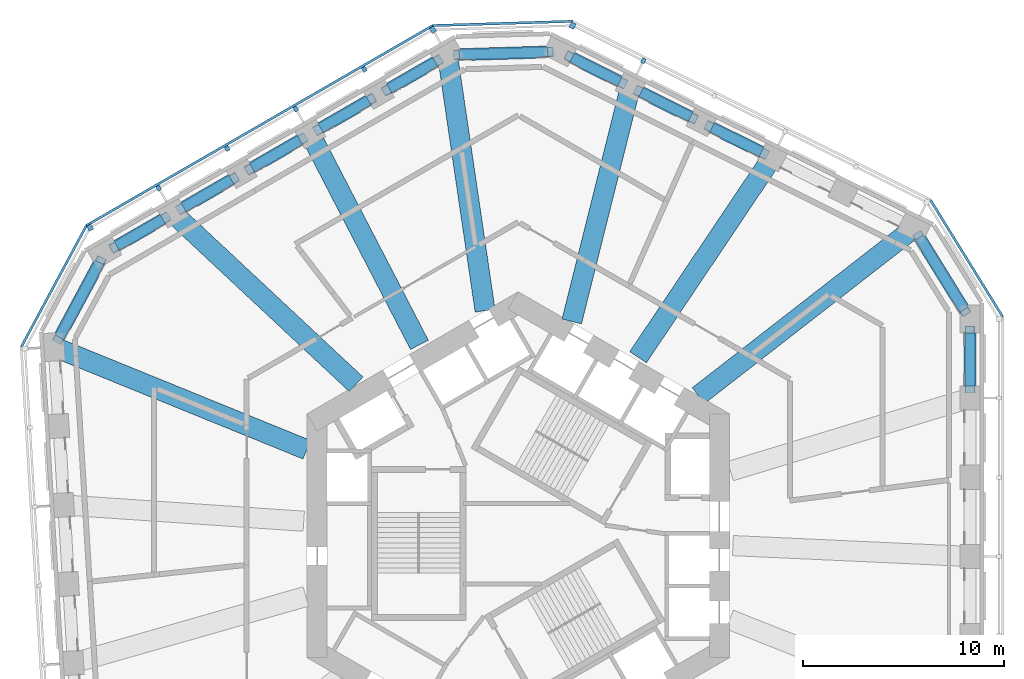
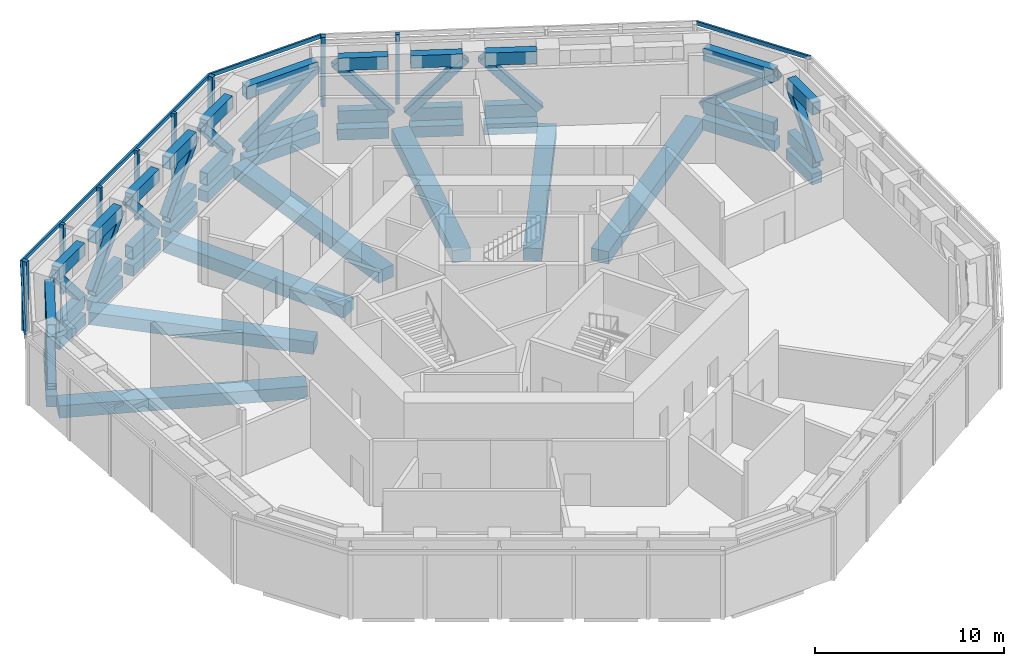
# One storey, part 3 of 15: 48 members, 19 beams, 5 elements without a shape of their own.
"""IFC4 building model written with IfcOpenShell, lengths in metres."""

from ifc_helpers import new_model, si_unit, direction, frame, origin, origin_2d, place, context, subcontext, project, spatial, rectangle, hollow_rectangle, extrude, material, material_profile, profile_set, type_object, element, aggregate, save


model = new_model("IFC4")

# Units and contexts
model_context = context("Model", 3, precision=1e-05, world=origin(), true_north=direction((0.0, 1.0)))
body_context = subcontext(model_context, "Body", "Model", "MODEL_VIEW")
ifc_project = project(units=[si_unit("LENGTHUNIT", "METRE"), si_unit("AREAUNIT", "SQUARE_METRE"), si_unit("VOLUMEUNIT", "CUBIC_METRE"), si_unit("PLANEANGLEUNIT", "RADIAN"), si_unit("MASSUNIT", "GRAM", prefix="KILO")], contexts=[model_context])

# Site, building, storey
site_placement = place(None, origin())
site = spatial("IfcSite", under=ifc_project, at=site_placement, CompositionType="ELEMENT")
building_placement = place(site_placement, origin())
building = spatial("IfcBuilding", under=site, at=building_placement, Name="Vanh Sen Convention Tower", CompositionType="ELEMENT")
storey_placement = place(building_placement, frame((0.0, 0.0, 119.89990234375)))
storey = spatial("IfcBuildingStorey", under=building, at=storey_placement, Name="L29", CompositionType="ELEMENT", Elevation=119.89990234375)

# Members
ifc_material_1 = material(Name="Steel S460", Category="steel")
ifc_material_profile_1 = material_profile(ifc_material_1, hollow_rectangle(XDim=0.5, YDim=0.800048828125, WallThickness=0.0400390625, at=origin_2d()), Name="BOX 800X500X40")
ifc_profile_set_1 = profile_set([ifc_material_profile_1], Name="Steel S460")
member_type_1 = type_object("IfcMemberType", Name="Belt truss chord BOX 800X500X40", PredefinedType="CHORD", material=ifc_profile_set_1)
for number, where, z_axis, x_axis, name in (
    (1, (22.449951171875, 7.43408203125, 0.400146484375), (0.0, 1.0, 0.0), (-1.0, 0.0, 0.0), "BELT TRUSS chord bottom 05 L29"),
    (2, (22.449951171875, 7.43408203125, 3.800048828125), (0.0, 1.0, 0.0), (-1.0, 0.0, 0.0), "BELT TRUSS chord top 05 L29"),
):
    element("IfcMember", number, at=place(storey_placement, frame(where, z_axis=z_axis, x_axis=x_axis)), inside=storey, type_object=member_type_1, Name=name, PredefinedType="CHORD", context=body_context, shape_type="SweptSolid", body=[
        extrude(hollow_rectangle(XDim=0.5, YDim=0.800048828125, WallThickness=0.0400390625, at=origin_2d()), origin(), (0.0, 0.0, 1.0), 2.64453125),
    ])
for number, where, z_axis, x_axis, name in (
    (3, (22.165283203125, 11.23388671875, 0.400146484375), (-0.526225208879, 0.850345241381, 0.0), (-0.850345241381, -0.526225208879, 0.0), "BELT TRUSS chord bottom 06 L29"),
    (4, (22.165283203125, 11.23388671875, 3.800048828125), (-0.526225208879, 0.850345241381, 0.0), (-0.850345241381, -0.526225208879, 0.0), "BELT TRUSS chord top 06 L29"),
):
    element("IfcMember", number, at=place(storey_placement, frame(where, z_axis=z_axis, x_axis=x_axis)), inside=storey, type_object=member_type_1, Name=name, PredefinedType="CHORD", context=body_context, shape_type="SweptSolid", body=[
        extrude(hollow_rectangle(XDim=0.5, YDim=0.800048828125, WallThickness=0.0400390625, at=origin_2d()), origin(), (0.0, 0.0, 1.0), 4.221923828125),
    ])
for number, where, z_axis, x_axis, name in (
    (5, (12.083984375, 19.060791015625, 0.400146484375), (-0.894942515368, 0.44618145881, 0.0), (-0.44618145881, -0.894942515368, 0.0), "BELT TRUSS chord bottom 09 L29"),
    (6, (12.083984375, 19.060791015625, 3.800048828125), (-0.894942515368, 0.44618145881, 0.0), (-0.44618145881, -0.894942515368, 0.0), "BELT TRUSS chord top 09 L29"),
):
    element("IfcMember", number, at=place(storey_placement, frame(where, z_axis=z_axis, x_axis=x_axis)), inside=storey, type_object=member_type_1, Name=name, PredefinedType="CHORD", context=body_context, shape_type="SweptSolid", body=[
        extrude(hollow_rectangle(XDim=0.5, YDim=0.800048828125, WallThickness=0.0400390625, at=origin_2d()), origin(), (0.0, 0.0, 1.0), 2.74462890625),
    ])
for number, where, z_axis, x_axis, name in (
    (7, (8.562744140625, 20.81640625, 0.400146484375), (-0.894924804947, 0.44621698028, 0.0), (-0.44621698028, -0.894924804947, 0.0), "BELT TRUSS chord bottom 10 L29"),
    (8, (8.562744140625, 20.81640625, 3.800048828125), (-0.894924804947, 0.44621698028, 0.0), (-0.44621698028, -0.894924804947, 0.0), "BELT TRUSS chord top 10 L29"),
):
    element("IfcMember", number, at=place(storey_placement, frame(where, z_axis=z_axis, x_axis=x_axis)), inside=storey, type_object=member_type_1, Name=name, PredefinedType="CHORD", context=body_context, shape_type="SweptSolid", body=[
        extrude(hollow_rectangle(XDim=0.5, YDim=0.800048828125, WallThickness=0.0400390625, at=origin_2d()), origin(), (0.0, 0.0, 1.0), 2.744384765625),
    ])
for number, where, z_axis, x_axis, name in (
    (9, (5.04150390625, 22.572021484375, 0.400146484375), (-0.894943581597, 0.446179320183, 0.0), (-0.446179320183, -0.894943581597, 0.0), "BELT TRUSS chord bottom 11 L29"),
    (10, (5.04150390625, 22.572021484375, 3.800048828125), (-0.894943581597, 0.446179320183, 0.0), (-0.446179320183, -0.894943581597, 0.0), "BELT TRUSS chord top 11 L29"),
):
    element("IfcMember", number, at=place(storey_placement, frame(where, z_axis=z_axis, x_axis=x_axis)), inside=storey, type_object=member_type_1, Name=name, PredefinedType="CHORD", context=body_context, shape_type="SweptSolid", body=[
        extrude(hollow_rectangle(XDim=0.5, YDim=0.800048828125, WallThickness=0.0400390625, at=origin_2d()), origin(), (0.0, 0.0, 1.0), 2.64453125),
    ])
for number, where, z_axis, x_axis, name in (
    (11, (1.467041015625, 24.044189453125, 0.400146484375), (-0.999534488219, -0.030509127505, 0.0), (0.030509127505, -0.999534488219, 0.0), "BELT TRUSS chord bottom 12 L29"),
    (12, (1.467041015625, 24.044189453125, 3.800048828125), (-0.999534488219, -0.030509127505, 0.0), (0.030509127505, -0.999534488219, 0.0), "BELT TRUSS chord top 12 L29"),
):
    element("IfcMember", number, at=place(storey_placement, frame(where, z_axis=z_axis, x_axis=x_axis)), inside=storey, type_object=member_type_1, Name=name, PredefinedType="CHORD", context=body_context, shape_type="SweptSolid", body=[
        extrude(hollow_rectangle(XDim=0.5, YDim=0.800048828125, WallThickness=0.0400390625, at=origin_2d()), origin(), (0.0, 0.0, 1.0), 4.401123046875),
    ])
for number, where, z_axis, x_axis, name in (
    (13, (-4.119873046875, 23.54443359375, 0.400146484375), (-0.866030315638, -0.499991492324, 0.0), (0.499991492324, -0.866030315638, 0.0), "BELT TRUSS chord bottom 13 L29"),
    (14, (-4.119873046875, 23.54443359375, 3.800048828125), (-0.866030315638, -0.499991492324, 0.0), (0.499991492324, -0.866030315638, 0.0), "BELT TRUSS chord top 13 L29"),
):
    element("IfcMember", number, at=place(storey_placement, frame(where, z_axis=z_axis, x_axis=x_axis)), inside=storey, type_object=member_type_1, Name=name, PredefinedType="CHORD", context=body_context, shape_type="SweptSolid", body=[
        extrude(hollow_rectangle(XDim=0.5, YDim=0.800048828125, WallThickness=0.0400390625, at=origin_2d()), origin(), (0.0, 0.0, 1.0), 2.64453125),
    ])
for number, where, z_axis, x_axis, name in (
    (15, (-7.44091796875, 21.627197265625, 0.400146484375), (-0.866006330792, -0.500033033937, 0.0), (0.500033033937, -0.866006330792, 0.0), "BELT TRUSS chord bottom 14 L29"),
    (16, (-7.44091796875, 21.627197265625, 3.800048828125), (-0.866006330792, -0.500033033937, 0.0), (0.500033033937, -0.866006330792, 0.0), "BELT TRUSS chord top 14 L29"),
):
    element("IfcMember", number, at=place(storey_placement, frame(where, z_axis=z_axis, x_axis=x_axis)), inside=storey, type_object=member_type_1, Name=name, PredefinedType="CHORD", context=body_context, shape_type="SweptSolid", body=[
        extrude(hollow_rectangle(XDim=0.5, YDim=0.800048828125, WallThickness=0.0400390625, at=origin_2d()), origin(), (0.0, 0.0, 1.0), 2.744384765625),
    ])
for number, where, z_axis, x_axis, name in (
    (17, (-10.84814453125, 19.659912109375, 0.400146484375), (-0.866028570666, -0.499994514761, 0.0), (0.499994514761, -0.866028570666, 0.0), "BELT TRUSS chord bottom 15 L29"),
    (18, (-10.84814453125, 19.659912109375, 3.800048828125), (-0.866028570666, -0.499994514761, 0.0), (0.499994514761, -0.866028570666, 0.0), "BELT TRUSS chord top 15 L29"),
    (19, (-14.255615234375, 17.6923828125, 0.400146484375), (-0.866067086513, -0.499927796446, 0.0), (0.499927796446, -0.866067086513, 0.0), "BELT TRUSS chord bottom 16 L29"),
    (20, (-14.255615234375, 17.6923828125, 3.800048828125), (-0.866067086513, -0.499927796446, 0.0), (0.499927796446, -0.866067086513, 0.0), "BELT TRUSS chord top 16 L29"),
):
    element("IfcMember", number, at=place(storey_placement, frame(where, z_axis=z_axis, x_axis=x_axis)), inside=storey, type_object=member_type_1, Name=name, PredefinedType="CHORD", context=body_context, shape_type="SweptSolid", body=[
        extrude(hollow_rectangle(XDim=0.5, YDim=0.800048828125, WallThickness=0.0400390625, at=origin_2d()), origin(), (0.0, 0.0, 1.0), 2.74462890625),
    ])
for number, where, z_axis, x_axis, name in (
    (21, (-17.6630859375, 15.72509765625, 0.400146484375), (-0.866030315638, -0.499991492324, 0.0), (0.499991492324, -0.866030315638, 0.0), "BELT TRUSS chord bottom 17 L29"),
    (22, (-17.6630859375, 15.72509765625, 3.800048828125), (-0.866030315638, -0.499991492324, 0.0), (0.499991492324, -0.866030315638, 0.0), "BELT TRUSS chord top 17 L29"),
):
    element("IfcMember", number, at=place(storey_placement, frame(where, z_axis=z_axis, x_axis=x_axis)), inside=storey, type_object=member_type_1, Name=name, PredefinedType="CHORD", context=body_context, shape_type="SweptSolid", body=[
        extrude(hollow_rectangle(XDim=0.5, YDim=0.800048828125, WallThickness=0.0400390625, at=origin_2d()), origin(), (0.0, 0.0, 1.0), 2.64453125),
    ])
for number, where, z_axis, x_axis, name in (
    (23, (-20.811279296875, 13.57861328125, 0.400146484375), (-0.473389272321, -0.880853334473, 0.0), (0.880853334473, -0.473389272321, 0.0), "BELT TRUSS chord bottom 18 L29"),
    (24, (-20.811279296875, 13.57861328125, 3.800048828125), (-0.473389272321, -0.880853334473, 0.0), (0.880853334473, -0.473389272321, 0.0), "BELT TRUSS chord top 18 L29"),
):
    element("IfcMember", number, at=place(storey_placement, frame(where, z_axis=z_axis, x_axis=x_axis)), inside=storey, type_object=member_type_1, Name=name, PredefinedType="CHORD", context=body_context, shape_type="SweptSolid", body=[
        extrude(hollow_rectangle(XDim=0.5, YDim=0.800048828125, WallThickness=0.0400390625, at=origin_2d()), origin(), (0.0, 0.0, 1.0), 4.2216796875),
    ])
ifc_material_2 = material(Name="Steel S355", Category="steel")
ifc_material_profile_2 = material_profile(ifc_material_2, hollow_rectangle(XDim=0.5, YDim=0.5, WallThickness=0.02490234375, InnerFilletRadius=0.02490234375, OuterFilletRadius=0.050048828125, at=origin_2d()), Name="SHS 500X500X25")
ifc_profile_set_2 = profile_set([ifc_material_profile_2], Name="Steel S355")
member_type_2 = type_object("IfcMemberType", Name="Belt truss diagonal SHS 500X500X25", PredefinedType="BRACE", material=ifc_profile_set_2)
member_1_placement = place(storey_placement, frame((22.449951171875, 7.2705078125, 0.400146484375), z_axis=(0.0, 0.658098773361, 0.752931606788), x_axis=(-1.0, 0.0, 0.0)))
element("IfcMember", 25, at=member_1_placement, inside=storey, type_object=member_type_2, Name="BELT TRUSS diagonal 05 L29", PredefinedType="BRACE", context=body_context, shape_type="SweptSolid", body=[
    extrude(hollow_rectangle(XDim=0.5, YDim=0.5, WallThickness=0.02490234375, InnerFilletRadius=0.02490234375, OuterFilletRadius=0.050048828125, at=origin_2d()), origin(), (0.0, 0.0, 1.0), 4.515625),
])
member_2_placement = place(storey_placement, frame((22.236083984375, 11.119140625, 3.800048828125), z_axis=(-0.41952279029, 0.678040708066, -0.603540741485), x_axis=(-0.850386754835, -0.526158119962, 0.0)))
element("IfcMember", 26, at=member_2_placement, inside=storey, type_object=member_type_2, Name="BELT TRUSS diagonal 06 L29", PredefinedType="BRACE", context=body_context, shape_type="SweptSolid", body=[
    extrude(hollow_rectangle(XDim=0.5, YDim=0.5, WallThickness=0.02490234375, InnerFilletRadius=0.02490234375, OuterFilletRadius=0.050048828125, at=origin_2d()), origin(), (0.0, 0.0, 1.0), 5.63330078125),
])
for number, where, z_axis, x_axis, name in (
    (27, (12.230224609375, 18.98779296875, 0.400146484375), (-0.599923058089, 0.299135629107, 0.742031131269), (-0.446227712357, -0.894919453764, 0.0), "BELT TRUSS diagonal 09 L29"),
    (28, (8.708984375, 20.743408203125, 3.800048828125), (-0.599923058089, 0.299135629107, -0.742031131269), (-0.446227712357, -0.894919453764, 0.0), "BELT TRUSS diagonal 10 L29"),
):
    element("IfcMember", number, at=place(storey_placement, frame(where, z_axis=z_axis, x_axis=x_axis)), inside=storey, type_object=member_type_2, Name=name, PredefinedType="BRACE", context=body_context, shape_type="SweptSolid", body=[
        extrude(hollow_rectangle(XDim=0.5, YDim=0.5, WallThickness=0.02490234375, InnerFilletRadius=0.02490234375, OuterFilletRadius=0.050048828125, at=origin_2d()), origin(), (0.0, 0.0, 1.0), 4.581787109375),
    ])
member_3_placement = place(storey_placement, frame((5.18798828125, 22.4990234375, 0.400146484375), z_axis=(-0.588951344743, 0.293637634564, 0.752936420352), x_axis=(-0.44619455886, -0.894935984104, 0.0)))
element("IfcMember", 29, at=member_3_placement, inside=storey, type_object=member_type_2, Name="BELT TRUSS diagonal 11 L29", PredefinedType="BRACE", context=body_context, shape_type="SweptSolid", body=[
    extrude(hollow_rectangle(XDim=0.5, YDim=0.5, WallThickness=0.02490234375, InnerFilletRadius=0.02490234375, OuterFilletRadius=0.050048828125, at=origin_2d()), origin(), (0.0, 0.0, 1.0), 4.515625),
])
member_4_placement = place(storey_placement, frame((1.59716796875, 24.048095703125, 3.800048828125), z_axis=(-0.807563084498, -0.024669074051, -0.589265051858), x_axis=(0.030533307633, -0.999533749868, 0.0)))
element("IfcMember", 30, at=member_4_placement, inside=storey, type_object=member_type_2, Name="BELT TRUSS diagonal 12 L29", PredefinedType="BRACE", context=body_context, shape_type="SweptSolid", body=[
    extrude(hollow_rectangle(XDim=0.5, YDim=0.5, WallThickness=0.02490234375, InnerFilletRadius=0.02490234375, OuterFilletRadius=0.050048828125, at=origin_2d()), origin(), (0.0, 0.0, 1.0), 5.769775390625),
])
member_5_placement = place(storey_placement, frame((-3.978271484375, 23.626220703125, 0.400146484375), z_axis=(-0.569920720253, -0.32905203524, 0.752937667228), x_axis=(0.50000929273, -0.866020038558, 0.0)))
element("IfcMember", 31, at=member_5_placement, inside=storey, type_object=member_type_2, Name="BELT TRUSS diagonal 13 L29", PredefinedType="BRACE", context=body_context, shape_type="SweptSolid", body=[
    extrude(hollow_rectangle(XDim=0.5, YDim=0.5, WallThickness=0.02490234375, InnerFilletRadius=0.02490234375, OuterFilletRadius=0.050048828125, at=origin_2d()), origin(), (0.0, 0.0, 1.0), 4.515625),
])
member_6_placement = place(storey_placement, frame((-7.29931640625, 21.708740234375, 3.800048828125), z_axis=(-0.58054170131, -0.335163588916, -0.742048988751), x_axis=(0.499986217557, -0.866033360935, 0.0)))
element("IfcMember", 32, at=member_6_placement, inside=storey, type_object=member_type_2, Name="BELT TRUSS diagonal 14 L29", PredefinedType="BRACE", context=body_context, shape_type="SweptSolid", body=[
    extrude(hollow_rectangle(XDim=0.5, YDim=0.5, WallThickness=0.02490234375, InnerFilletRadius=0.02490234375, OuterFilletRadius=0.050048828125, at=origin_2d()), origin(), (0.0, 0.0, 1.0), 4.581787109375),
])
for number, where, z_axis, x_axis, name in (
    (33, (-10.70654296875, 19.741455078125, 0.400146484375), (-0.580577026197, -0.335153220886, 0.742026034032), (0.499951800389, -0.866053230054, 0.0), "BELT TRUSS diagonal 15 L29"),
    (34, (-14.114013671875, 17.774169921875, 3.800048828125), (-0.580577026197, -0.335153220886, -0.742026034032), (0.499951800389, -0.866053230054, 0.0), "BELT TRUSS diagonal 16 L29"),
):
    element("IfcMember", number, at=place(storey_placement, frame(where, z_axis=z_axis, x_axis=x_axis)), inside=storey, type_object=member_type_2, Name=name, PredefinedType="BRACE", context=body_context, shape_type="SweptSolid", body=[
        extrude(hollow_rectangle(XDim=0.5, YDim=0.5, WallThickness=0.02490234375, InnerFilletRadius=0.02490234375, OuterFilletRadius=0.050048828125, at=origin_2d()), origin(), (0.0, 0.0, 1.0), 4.58203125),
    ])
member_7_placement = place(storey_placement, frame((-17.521484375, 15.806884765625, 0.400146484375), z_axis=(-0.569930859077, -0.329003821031, 0.752951061902), x_axis=(0.499947671726, -0.86605561342, 0.0)))
element("IfcMember", 35, at=member_7_placement, inside=storey, type_object=member_type_2, Name="BELT TRUSS diagonal 17 L29", PredefinedType="BRACE", context=body_context, shape_type="SweptSolid", body=[
    extrude(hollow_rectangle(XDim=0.5, YDim=0.5, WallThickness=0.02490234375, InnerFilletRadius=0.02490234375, OuterFilletRadius=0.050048828125, at=origin_2d()), origin(), (0.0, 0.0, 1.0), 4.515380859375),
])
member_8_placement = place(storey_placement, frame((-20.74755859375, 13.697509765625, 3.800048828125), z_axis=(-0.377398829423, -0.702357077358, -0.603543419677), x_axis=(0.880886158096, -0.473328191084, 0.0)))
element("IfcMember", 36, at=member_8_placement, inside=storey, type_object=member_type_2, Name="BELT TRUSS diagonal 18 L29", PredefinedType="BRACE", context=body_context, shape_type="SweptSolid", body=[
    extrude(hollow_rectangle(XDim=0.5, YDim=0.5, WallThickness=0.02490234375, InnerFilletRadius=0.02490234375, OuterFilletRadius=0.050048828125, at=origin_2d()), origin(), (0.0, 0.0, 1.0), 5.63330078125),
])

# Curtain wall, member
ifc_material_3 = material(Name="Concrete C50/60", Category="concrete")
curtain_wall_type = type_object("IfcCurtainWallType", Name="Outer skin hotel zone", PredefinedType="NOTDEFINED", material=ifc_material_3)
curtain_wall_1_placement = place(storey_placement, origin())
curtain_wall_1 = element("IfcCurtainWall", 37, at=curtain_wall_1_placement, inside=storey, type_object=curtain_wall_type, Name="OUTER SKIN NE L29", PredefinedType="NOTDEFINED")
ifc_material_profile_3 = material_profile(ifc_material_3, rectangle(XDim=0.25, YDim=0.300048828125, at=origin_2d()), Name="Outer skin precast corner fin 250 x 300")
ifc_profile_set_3 = profile_set([ifc_material_profile_3], Name="Concrete C50/60")
member_type_3 = type_object("IfcMemberType", Name="Outer skin precast corner fin 250 x 300", PredefinedType="MULLION", material=ifc_profile_set_3)
member_9_placement = place(storey_placement, frame((2.699951171875, 25.35986328125, 0.0), z_axis=(0.0, 0.0, 1.0), x_axis=(-0.894934361602, 0.44619781311, 0.0)))
member_9 = element("IfcMember", 38, at=member_9_placement, type_object=member_type_3, Name="OUTER SKIN CORNER FIN 6 NE L29", PredefinedType="MULLION", context=body_context, shape_type="SweptSolid", body=[
    extrude(rectangle(XDim=0.25, YDim=0.300048828125, at=origin_2d()), origin(), (0.0, 0.0, 1.0), 4.5),
])

# Curtain wall, members
curtain_wall_2_placement = place(storey_placement, origin())
curtain_wall_2 = element("IfcCurtainWall", 39, at=curtain_wall_2_placement, inside=storey, type_object=curtain_wall_type, Name="OUTER SKIN NW L29", PredefinedType="NOTDEFINED")
member_10_placement = place(storey_placement, frame((-4.242919921875, 25.147705078125, 0.0), z_axis=(0.0, 0.0, 1.0), x_axis=(-0.866025403784, -0.5, 0.0)))
member_10 = element("IfcMember", 40, at=member_10_placement, type_object=member_type_3, Name="OUTER SKIN CORNER FIN 1 NW L29", PredefinedType="MULLION", context=body_context, shape_type="SweptSolid", body=[
    extrude(rectangle(XDim=0.25, YDim=0.300048828125, at=origin_2d()), origin(), (0.0, 0.0, 1.0), 4.5),
])
member_11_placement = place(storey_placement, frame((-21.2802734375, 15.31103515625, 0.0), z_axis=(0.0, 0.0, 1.0), x_axis=(-0.866025403784, -0.5, 0.0)))
member_11 = element("IfcMember", 41, at=member_11_placement, type_object=member_type_3, Name="OUTER SKIN CORNER FIN 6 NW L29", PredefinedType="MULLION", context=body_context, shape_type="SweptSolid", body=[
    extrude(rectangle(XDim=0.25, YDim=0.300048828125, at=origin_2d()), origin(), (0.0, 0.0, 1.0), 4.5),
])

# Member
ifc_material_profile_4 = material_profile(ifc_material_3, rectangle(XDim=0.199951171875, YDim=0.25, at=origin_2d()), Name="Outer skin precast fin 200 x 250")
ifc_profile_set_4 = profile_set([ifc_material_profile_4], Name="Concrete C50/60")
member_type_4 = type_object("IfcMemberType", Name="Outer skin precast fin 200 x 250", PredefinedType="MULLION", material=ifc_profile_set_4)
member_12_placement = place(storey_placement, frame((6.22119140625, 23.604248046875, 0.0), z_axis=(0.0, 0.0, 1.0), x_axis=(-0.894934361602, 0.44619781311, 0.0)))
member_12 = element("IfcMember", 42, at=member_12_placement, type_object=member_type_4, Name="OUTER SKIN fin 5 NE L29", PredefinedType="MULLION", context=body_context, shape_type="SweptSolid", body=[
    extrude(rectangle(XDim=0.199951171875, YDim=0.25, at=origin_2d()), origin(), (0.0, 0.0, 1.0), 4.5),
])

aggregate(curtain_wall_1, [member_12, member_9])

member_13_placement = place(storey_placement, frame((-7.650390625, 23.180419921875, 0.0), z_axis=(0.0, 0.0, 1.0), x_axis=(-0.866025403784, -0.5, 0.0)))
member_13 = element("IfcMember", 43, at=member_13_placement, type_object=member_type_4, Name="OUTER SKIN fin 2 NW L29", PredefinedType="MULLION", context=body_context, shape_type="SweptSolid", body=[
    extrude(rectangle(XDim=0.199951171875, YDim=0.25, at=origin_2d()), origin(), (0.0, 0.0, 1.0), 4.5),
])

member_14_placement = place(storey_placement, frame((-11.057861328125, 21.212890625, 0.0), z_axis=(0.0, 0.0, 1.0), x_axis=(-0.866025403784, -0.5, 0.0)))
member_14 = element("IfcMember", 44, at=member_14_placement, type_object=member_type_4, Name="OUTER SKIN fin 3 NW L29", PredefinedType="MULLION", context=body_context, shape_type="SweptSolid", body=[
    extrude(rectangle(XDim=0.199951171875, YDim=0.25, at=origin_2d()), origin(), (0.0, 0.0, 1.0), 4.5),
])

member_15_placement = place(storey_placement, frame((-14.46533203125, 19.24560546875, 0.0), z_axis=(0.0, 0.0, 1.0), x_axis=(-0.866025403784, -0.5, 0.0)))
member_15 = element("IfcMember", 45, at=member_15_placement, type_object=member_type_4, Name="OUTER SKIN fin 4 NW L29", PredefinedType="MULLION", context=body_context, shape_type="SweptSolid", body=[
    extrude(rectangle(XDim=0.199951171875, YDim=0.25, at=origin_2d()), origin(), (0.0, 0.0, 1.0), 4.5),
])

member_16_placement = place(storey_placement, frame((-17.872802734375, 17.2783203125, 0.0), z_axis=(0.0, 0.0, 1.0), x_axis=(-0.866025403784, -0.5, 0.0)))
member_16 = element("IfcMember", 46, at=member_16_placement, type_object=member_type_4, Name="OUTER SKIN fin 5 NW L29", PredefinedType="MULLION", context=body_context, shape_type="SweptSolid", body=[
    extrude(rectangle(XDim=0.199951171875, YDim=0.25, at=origin_2d()), origin(), (0.0, 0.0, 1.0), 4.5),
])

# Curtain wall, member
curtain_wall_3_placement = place(storey_placement, origin())
curtain_wall_3 = element("IfcCurtainWall", 47, at=curtain_wall_3_placement, inside=storey, type_object=curtain_wall_type, Name="OUTER SKIN CH1 L29", PredefinedType="NOTDEFINED")
ifc_material_profile_5 = material_profile(ifc_material_3, rectangle(XDim=0.1201171875, YDim=0.25, at=origin_2d()), Name="Outer skin precast spandrel band 250 x 120")
ifc_profile_set_5 = profile_set([ifc_material_profile_5], Name="Concrete C50/60")
member_type_5 = type_object("IfcMemberType", Name="Outer skin precast spandrel band 250 x 120", PredefinedType="USERDEFINED", material=ifc_profile_set_5)
member_17_placement = place(storey_placement, frame((24.07861328125, 10.88427734375, 4.375), z_axis=(-0.526195864379, 0.850363400148, 0.0), x_axis=(-0.850363400148, -0.526195864379, 0.0)))
member_17 = element("IfcMember", 48, at=member_17_placement, type_object=member_type_5, Name="OUTER SKIN spandrel band CH1 L29", ObjectType="TRANSOM", PredefinedType="USERDEFINED", context=body_context, shape_type="SweptSolid", body=[
    extrude(rectangle(XDim=0.1201171875, YDim=0.25, at=origin_2d()), origin(), (0.0, 0.0, 1.0), 6.830078125),
])
aggregate(curtain_wall_3, [member_17])

curtain_wall_4_placement = place(storey_placement, origin())
curtain_wall_4 = element("IfcCurtainWall", 49, at=curtain_wall_4_placement, inside=storey, type_object=curtain_wall_type, Name="OUTER SKIN CH2 L29", PredefinedType="NOTDEFINED")
member_18_placement = place(storey_placement, frame((2.693603515625, 25.569580078125, 4.375), z_axis=(-0.999533472857, -0.030542374483, 0.0), x_axis=(0.030542374483, -0.999533472857, 0.0)))
member_18 = element("IfcMember", 50, at=member_18_placement, type_object=member_type_5, Name="OUTER SKIN spandrel band CH2 L29", ObjectType="TRANSOM", PredefinedType="USERDEFINED", context=body_context, shape_type="SweptSolid", body=[
    extrude(rectangle(XDim=0.1201171875, YDim=0.25, at=origin_2d()), origin(), (0.0, 0.0, 1.0), 6.9462890625),
])
aggregate(curtain_wall_4, [member_18])

# Member
member_19_placement = place(storey_placement, frame((-4.227294921875, 25.370361328125, 4.375), z_axis=(-0.866028047459, -0.499995420993, 0.0), x_axis=(0.499995420993, -0.866028047459, 0.0)))
member_19 = element("IfcMember", 51, at=member_19_placement, type_object=member_type_5, Name="OUTER SKIN spandrel band NW L29", ObjectType="TRANSOM", PredefinedType="USERDEFINED", context=body_context, shape_type="SweptSolid", body=[
    extrude(rectangle(XDim=0.1201171875, YDim=0.25, at=origin_2d()), origin(), (0.0, 0.0, 1.0), 19.923095703125),
])

aggregate(curtain_wall_2, [member_10, member_13, member_14, member_15, member_16, member_11, member_19])

# Curtain wall, member
curtain_wall_5_placement = place(storey_placement, origin())
curtain_wall_5 = element("IfcCurtainWall", 52, at=curtain_wall_5_placement, inside=storey, type_object=curtain_wall_type, Name="OUTER SKIN CH3 L29", PredefinedType="NOTDEFINED")
member_20_placement = place(storey_placement, frame((-21.46533203125, 15.410400390625, 4.375), z_axis=(-0.473315186561, -0.880893145717, 0.0), x_axis=(0.880893145717, -0.473315186561, 0.0)))
member_20 = element("IfcMember", 53, at=member_20_placement, type_object=member_type_5, Name="OUTER SKIN spandrel band CH3 L29", ObjectType="TRANSOM", PredefinedType="USERDEFINED", context=body_context, shape_type="SweptSolid", body=[
    extrude(rectangle(XDim=0.1201171875, YDim=0.25, at=origin_2d()), origin(), (0.0, 0.0, 1.0), 6.829833984375),
])
aggregate(curtain_wall_5, [member_20])

# Beams
ifc_material_4 = material(Name="Concrete C50/60", Category="concrete")
ifc_material_profile_6 = material_profile(ifc_material_4, rectangle(XDim=1.0, YDim=0.800048828125, at=origin_2d()), Name="RC 1000X800")
ifc_profile_set_6 = profile_set([ifc_material_profile_6], Name="Concrete C50/60")
beam_type_1 = type_object("IfcBeamType", Name="Radial floor beam 1000 x 800", PredefinedType="BEAM", material=ifc_profile_set_6)
beam_1_placement = place(storey_placement, frame((19.414306640625, 15.093994140625, -0.75), z_axis=(-0.789466314485, -0.613793889098, 0.0), x_axis=(0.613793889098, -0.789466314485, 0.0)))
element("IfcBeam", 54, at=beam_1_placement, inside=storey, type_object=beam_type_1, Name="Radial beam 04 L29", PredefinedType="BEAM", context=body_context, shape_type="SweptSolid", body=[
    extrude(rectangle(XDim=1.0, YDim=0.800048828125, at=origin_2d()), origin(), (0.0, 0.0, 1.0), 13.24853515625),
])
beam_2_placement = place(storey_placement, frame((12.38427734375, 18.44921875, -0.75), z_axis=(-0.557334979962, -0.830287733326, 0.0), x_axis=(0.830287733326, -0.557334979962, 0.0)))
element("IfcBeam", 55, at=beam_2_placement, inside=storey, type_object=beam_type_1, Name="Radial beam 05 L29", PredefinedType="BEAM", context=body_context, shape_type="SweptSolid", body=[
    extrude(rectangle(XDim=1.0, YDim=0.800048828125, at=origin_2d()), origin(), (0.0, 0.0, 1.0), 11.53466796875),
])
beam_3_placement = place(storey_placement, frame((5.505859375, 22.03369140625, -0.75), z_axis=(-0.242418086621, -0.970171877184, 0.0), x_axis=(0.970171877184, -0.242418086621, 0.0)))
element("IfcBeam", 56, at=beam_3_placement, inside=storey, type_object=beam_type_1, Name="Radial beam 06 L29", PredefinedType="BEAM", context=body_context, shape_type="SweptSolid", body=[
    extrude(rectangle(XDim=1.0, YDim=0.800048828125, at=origin_2d()), origin(), (0.0, 0.0, 1.0), 11.729736328125),
])
beam_4_placement = place(storey_placement, frame((-3.46923828125, 23.560791015625, -0.75), z_axis=(0.145669310946, -0.989333337075, 0.0), x_axis=(0.989333337075, 0.145669310946, 0.0)))
element("IfcBeam", 57, at=beam_4_placement, inside=storey, type_object=beam_type_1, Name="Radial beam 07 L29", PredefinedType="BEAM", context=body_context, shape_type="SweptSolid", body=[
    extrude(rectangle(XDim=1.0, YDim=0.800048828125, at=origin_2d()), origin(), (0.0, 0.0, 1.0), 12.5078125),
])
beam_5_placement = place(storey_placement, frame((-10.115478515625, 19.53759765625, -0.75), z_axis=(0.459758563435, -0.8880439535, 0.0), x_axis=(0.8880439535, 0.459758563435, 0.0)))
element("IfcBeam", 58, at=beam_5_placement, inside=storey, type_object=beam_type_1, Name="Radial beam 08 L29", PredefinedType="BEAM", context=body_context, shape_type="SweptSolid", body=[
    extrude(rectangle(XDim=1.0, YDim=0.800048828125, at=origin_2d()), origin(), (0.0, 0.0, 1.0), 11.317626953125),
])
beam_6_placement = place(storey_placement, frame((-16.9716796875, 15.858154296875, -0.75), z_axis=(0.730665827396, -0.682735269834, 0.0), x_axis=(0.682735269834, 0.730665827396, 0.0)))
element("IfcBeam", 59, at=beam_6_placement, inside=storey, type_object=beam_type_1, Name="Radial beam 09 L29", PredefinedType="BEAM", context=body_context, shape_type="SweptSolid", body=[
    extrude(rectangle(XDim=1.0, YDim=0.800048828125, at=origin_2d()), origin(), (0.0, 0.0, 1.0), 12.19921875),
])
beam_7_placement = place(storey_placement, frame((-22.779052734375, 9.266357421875, -0.75), z_axis=(0.926290168233, -0.376810992719, 0.0), x_axis=(0.376810992719, 0.926290168233, 0.0)))
element("IfcBeam", 60, at=beam_7_placement, inside=storey, type_object=beam_type_1, Name="Radial beam 10 L29", PredefinedType="BEAM", context=body_context, shape_type="SweptSolid", body=[
    extrude(rectangle(XDim=1.0, YDim=0.800048828125, at=origin_2d()), origin(), (0.0, 0.0, 1.0), 13.24853515625),
])
ifc_material_profile_7 = material_profile(ifc_material_4, rectangle(XDim=0.60009765625, YDim=0.699951171875, at=origin_2d()), Name="RC 600X700")
ifc_profile_set_7 = profile_set([ifc_material_profile_7], Name="Concrete C50/60")
beam_type_2 = type_object("IfcBeamType", Name="Spandrel beam 600 x 700", PredefinedType="SPANDREL", material=ifc_profile_set_7)
beam_8_placement = place(storey_placement, frame((22.449951171875, 7.384033203125, -0.699951171875), z_axis=(0.0, 1.0, 0.0), x_axis=(-1.0, 0.0, 0.0)))
element("IfcBeam", 61, at=beam_8_placement, inside=storey, type_object=beam_type_2, Name="Spandrel beam 05 L29", PredefinedType="SPANDREL", context=body_context, shape_type="SweptSolid", body=[
    extrude(rectangle(XDim=0.60009765625, YDim=0.699951171875, at=origin_2d()), origin(), (0.0, 0.0, 1.0), 2.74462890625),
])
beam_9_placement = place(storey_placement, frame((22.207763671875, 11.165283203125, -0.699951171875), z_axis=(-0.526233808765, 0.850339919392, 0.0), x_axis=(-0.850339919392, -0.526233808765, 0.0)))
element("IfcBeam", 62, at=beam_9_placement, inside=storey, type_object=beam_type_2, Name="Spandrel beam 06 L29", PredefinedType="SPANDREL", context=body_context, shape_type="SweptSolid", body=[
    extrude(rectangle(XDim=0.60009765625, YDim=0.699951171875, at=origin_2d()), origin(), (0.0, 0.0, 1.0), 4.38330078125),
])
for number, where, z_axis, x_axis, name in (
    (63, (12.12890625, 19.03857421875, -0.699951171875), (-0.894975791885, 0.446114707155, 0.0), (-0.446114707155, -0.894975791885, 0.0), "Spandrel beam 09 L29"),
    (64, (8.607666015625, 20.794189453125, -0.699951171875), (-0.894975791885, 0.446114707155, 0.0), (-0.446114707155, -0.894975791885, 0.0), "Spandrel beam 10 L29"),
):
    element("IfcBeam", number, at=place(storey_placement, frame(where, z_axis=z_axis, x_axis=x_axis)), inside=storey, type_object=beam_type_2, Name=name, PredefinedType="SPANDREL", context=body_context, shape_type="SweptSolid", body=[
        extrude(rectangle(XDim=0.60009765625, YDim=0.699951171875, at=origin_2d()), origin(), (0.0, 0.0, 1.0), 2.8447265625),
    ])
beam_10_placement = place(storey_placement, frame((5.08642578125, 22.5498046875, -0.699951171875), z_axis=(-0.894942515368, 0.44618145881, 0.0), x_axis=(-0.44618145881, -0.894942515368, 0.0)))
element("IfcBeam", 65, at=beam_10_placement, inside=storey, type_object=beam_type_2, Name="Spandrel beam 11 L29", PredefinedType="SPANDREL", context=body_context, shape_type="SweptSolid", body=[
    extrude(rectangle(XDim=0.60009765625, YDim=0.699951171875, at=origin_2d()), origin(), (0.0, 0.0, 1.0), 2.74462890625),
])
beam_11_placement = place(storey_placement, frame((1.56005859375, 24.047119140625, -0.699951171875), z_axis=(-0.99953328448, -0.030548538698, 0.0), x_axis=(0.030548538698, -0.99953328448, 0.0)))
element("IfcBeam", 66, at=beam_11_placement, inside=storey, type_object=beam_type_2, Name="Spandrel beam 12 L29", PredefinedType="SPANDREL", context=body_context, shape_type="SweptSolid", body=[
    extrude(rectangle(XDim=0.60009765625, YDim=0.699951171875, at=origin_2d()), origin(), (0.0, 0.0, 1.0), 4.58740234375),
])
beam_12_placement = place(storey_placement, frame((-4.07666015625, 23.5693359375, -0.699951171875), z_axis=(-0.866028570666, -0.499994514761, 0.0), x_axis=(0.499994514761, -0.866028570666, 0.0)))
element("IfcBeam", 67, at=beam_12_placement, inside=storey, type_object=beam_type_2, Name="Spandrel beam 13 L29", PredefinedType="SPANDREL", context=body_context, shape_type="SweptSolid", body=[
    extrude(rectangle(XDim=0.60009765625, YDim=0.699951171875, at=origin_2d()), origin(), (0.0, 0.0, 1.0), 2.74462890625),
])
for number, where, z_axis, x_axis, name in (
    (68, (-7.3974609375, 21.652099609375, -0.699951171875), (-0.866005490874, -0.500034488586, 0.0), (0.500034488586, -0.866005490874, 0.0), "Spandrel beam 14 L29"),
    (69, (-10.804931640625, 19.684814453125, -0.699951171875), (-0.866005490874, -0.500034488586, 0.0), (0.500034488586, -0.866005490874, 0.0), "Spandrel beam 15 L29"),
    (70, (-14.21240234375, 17.717529296875, -0.699951171875), (-0.866005490874, -0.500034488586, 0.0), (0.500034488586, -0.866005490874, 0.0), "Spandrel beam 16 L29"),
):
    element("IfcBeam", number, at=place(storey_placement, frame(where, z_axis=z_axis, x_axis=x_axis)), inside=storey, type_object=beam_type_2, Name=name, PredefinedType="SPANDREL", context=body_context, shape_type="SweptSolid", body=[
        extrude(rectangle(XDim=0.60009765625, YDim=0.699951171875, at=origin_2d()), origin(), (0.0, 0.0, 1.0), 2.844482421875),
    ])
beam_13_placement = place(storey_placement, frame((-17.619873046875, 15.750244140625, -0.699951171875), z_axis=(-0.866006330792, -0.500033033937, 0.0), x_axis=(0.500033033937, -0.866006330792, 0.0)))
element("IfcBeam", 71, at=beam_13_placement, inside=storey, type_object=beam_type_2, Name="Spandrel beam 17 L29", PredefinedType="SPANDREL", context=body_context, shape_type="SweptSolid", body=[
    extrude(rectangle(XDim=0.60009765625, YDim=0.699951171875, at=origin_2d()), origin(), (0.0, 0.0, 1.0), 2.744384765625),
])
beam_14_placement = place(storey_placement, frame((-20.773193359375, 13.64990234375, -0.699951171875), z_axis=(-0.473309149957, -0.880896389235, 0.0), x_axis=(0.880896389235, -0.473309149957, 0.0)))
element("IfcBeam", 72, at=beam_14_placement, inside=storey, type_object=beam_type_2, Name="Spandrel beam 18 L29", PredefinedType="SPANDREL", context=body_context, shape_type="SweptSolid", body=[
    extrude(rectangle(XDim=0.60009765625, YDim=0.699951171875, at=origin_2d()), origin(), (0.0, 0.0, 1.0), 4.38330078125),
])

save(model, "model.ifc")
